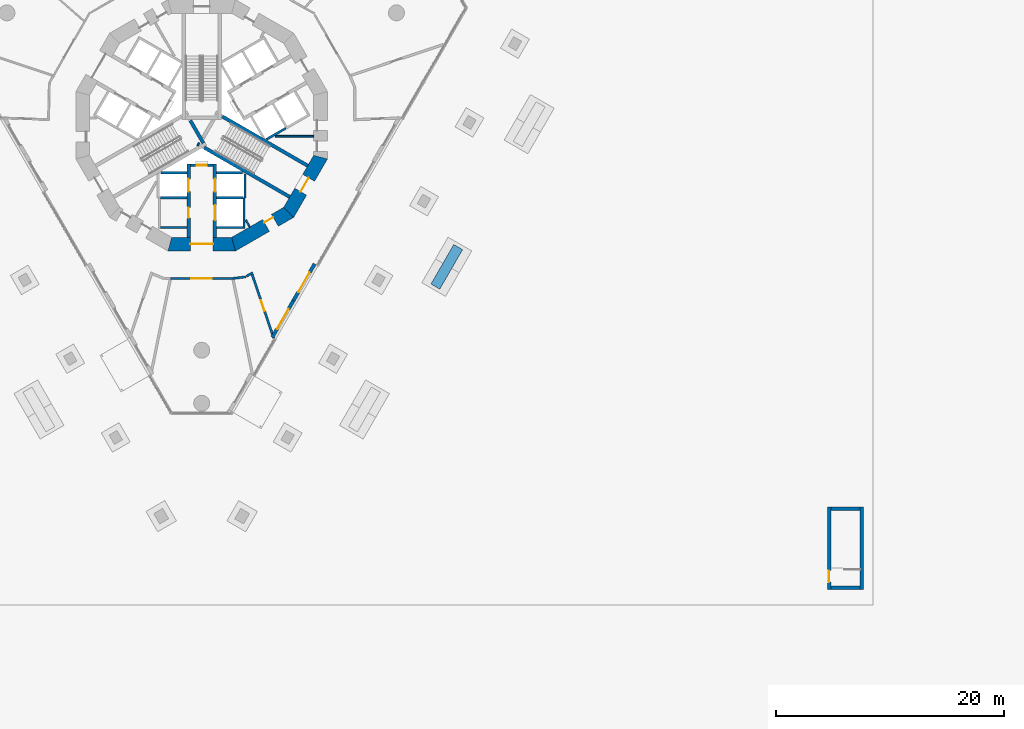
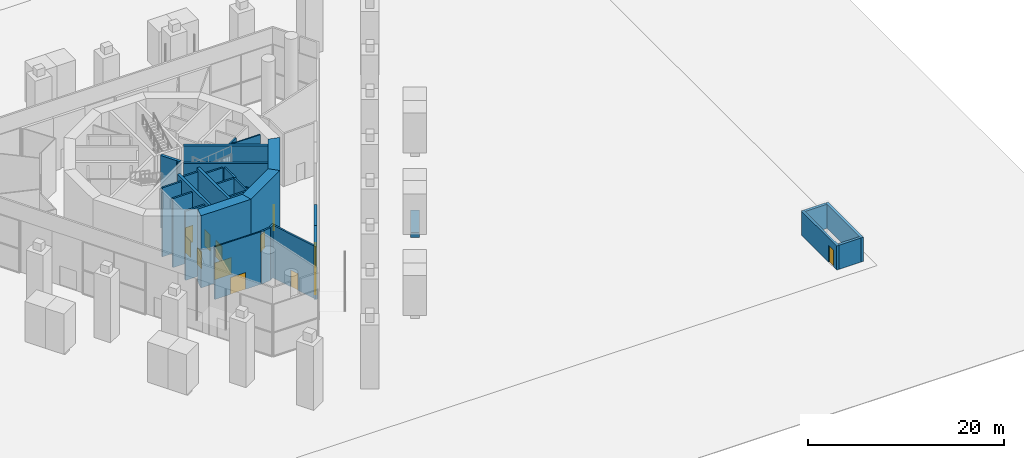
# One storey, part 8 of 26: 32 walls, 13 doors, 13 openings.
"""IFC4 building model written with IfcOpenShell, lengths in metres."""

from ifc_helpers import new_model, si_unit, direction, frame, frame_2d, origin, place, context, subcontext, project, spatial, polyline, rectangle, outline, extrude, material, layer, layer_set, type_object, element, fill, save


model = new_model("IFC4")

# Units and contexts
model_context = context("Model", 3, precision=1e-05, world=origin(), true_north=direction((0.0, 1.0)))
body_context = subcontext(model_context, "Body", "Model", "MODEL_VIEW")
ifc_project = project(units=[si_unit("LENGTHUNIT", "METRE"), si_unit("AREAUNIT", "SQUARE_METRE"), si_unit("VOLUMEUNIT", "CUBIC_METRE"), si_unit("PLANEANGLEUNIT", "RADIAN"), si_unit("MASSUNIT", "GRAM", prefix="KILO")], contexts=[model_context])

# Site, building, storey
site_placement = place(None, origin())
site = spatial("IfcSite", under=ifc_project, at=site_placement, CompositionType="ELEMENT")
building_placement = place(site_placement, origin())
building = spatial("IfcBuilding", under=site, at=building_placement, Name="Trine Commons Tower", CompositionType="ELEMENT")
storey_placement = place(building_placement, origin())
storey = spatial("IfcBuildingStorey", under=building, at=storey_placement, Name="L00", CompositionType="ELEMENT", Elevation=0.0)

# Wall, opening, door
ifc_material_1 = material(Name="Plasterboard on steel stud", Category="steel")
ifc_layer_1 = layer(ifc_material_1, 0.14990234375)
ifc_layer_set_1 = layer_set([ifc_layer_1], Name="Plasterboard on steel stud")
wall_type_1 = type_object("IfcWallType", Name="Compartment wall 150 mm, EI 60", PredefinedType="PARTITIONING", material=ifc_layer_set_1)
wall_1_placement = place(storey_placement, frame((82.733154296875, 49.08837890625, 0.0), z_axis=(0.0, 0.0, 1.0), x_axis=(-1.0, 0.0, 0.0)))
wall_1 = element("IfcWall", 1, at=wall_1_placement, inside=storey, type_object=wall_type_1, Name="Partition G0013", PredefinedType="PARTITIONING", context=body_context, shape_type="SweptSolid", body=[
    extrude(rectangle(XDim=5.46630859375, YDim=0.14990234375, at=frame_2d((2.733154296875, 0.0))), origin(), (0.0, 0.0, 1.0), 6.550048828125),
])
opening_1_placement = place(wall_1_placement, frame((1.833251953125, 0.0, 0.0)))
opening_1 = element("IfcOpeningElement", 2, at=opening_1_placement, cuts=wall_1, Name="Opening D-G005", PredefinedType="OPENING", context=body_context, shape_type="SweptSolid", body=[
    extrude(rectangle(XDim=1.800048828125, YDim=2.10009765625, at=frame_2d((0.89990234375, 1.050048828125))), frame((0.0, 0.0849609375, 0.0), z_axis=(0.0, -1.0, 0.0), x_axis=(1.0, 0.0, 0.0)), (0.0, 0.0, 1.0), 0.169921875),
])
ifc_material_2 = material(Name="Timber fire door set", Category="wood")
door_type_1 = type_object("IfcDoorType", Name="Double swing door 1800x2100, FD30S", OperationType="DOUBLE_DOOR_DOUBLE_SWING", PredefinedType="DOOR", material=ifc_material_2)
door_1_placement = place(opening_1_placement, origin())
door_1 = element("IfcDoor", 3, at=door_1_placement, inside=storey, type_object=door_type_1, Name="Door D-G005", OperationType="DOUBLE_DOOR_DOUBLE_SWING", OverallHeight=2.10009765625, OverallWidth=1.800048828125, PredefinedType="DOOR", context=body_context, shape_type="SweptSolid", body=[
    extrude(rectangle(XDim=1.800048828125, YDim=2.10009765625, at=frame_2d((0.89990234375, 1.050048828125))), frame((0.0, 0.02490234375, 0.0), z_axis=(0.0, -1.0, 0.0), x_axis=(1.0, 0.0, 0.0)), (0.0, 0.0, 1.0), 0.050048828125),
])
fill(opening_1, door_1)

# Walls
ifc_material_3 = material(Name="Plasterboard partition on steel studs", Category="steel")
ifc_layer_2 = layer(ifc_material_3, 0.14990234375)
ifc_layer_set_2 = layer_set([ifc_layer_2], Name="Plasterboard partition on steel studs")
wall_type_2 = type_object("IfcWallType", Name="Core room partition 150 mm, EI 60", PredefinedType="PARTITIONING", material=ifc_layer_set_2)
wall_2_placement = place(storey_placement, frame((84.2099609375, 53.60205078125, 0.0), z_axis=(0.0, 0.0, 1.0), x_axis=(-0.500366091518, 0.865813937552, 0.0)))
element("IfcWall", 4, at=wall_2_placement, inside=storey, type_object=wall_type_2, Name="Core room partition L00", PredefinedType="PARTITIONING", context=body_context, shape_type="SweptSolid", body=[
    extrude(rectangle(XDim=0.689453125, YDim=0.14990234375, at=frame_2d((0.3447265625, 0.0))), origin(), (0.0, 0.0, 1.0), 8.60009765625),
])
wall_3_placement = place(storey_placement, frame((89.81201171875, 61.537109375, 0.0), z_axis=(0.0, 0.0, 1.0), x_axis=(-1.0, 0.0, 0.0)))
element("IfcWall", 5, at=wall_3_placement, inside=storey, type_object=wall_type_2, Name="Core room partition L00", PredefinedType="PARTITIONING", context=body_context, shape_type="SweptSolid", body=[
    extrude(rectangle(XDim=3.35107421875, YDim=0.14990234375, at=frame_2d((1.675537109375, 0.0))), origin(), (0.0, 0.0, 1.0), 8.60009765625),
])

# Wall, opening, door
ifc_material_4 = material(Name="Stone-clad concrete C40/50", Category="masonry")
ifc_layer_3 = layer(ifc_material_4, 0.300048828125)
ifc_layer_set_3 = layer_set([ifc_layer_3], Name="Stone-clad concrete C40/50")
wall_type_3 = type_object("IfcWallType", Name="Entrance portal wall 300 mm, stone-clad concrete", PredefinedType="SOLIDWALL", material=ifc_layer_set_3)
wall_4_placement = place(storey_placement, frame((89.890625, 50.361572265625, 0.0), z_axis=(0.0, 0.0, 1.0), x_axis=(-0.500037549534, -0.866003723466, 0.0)))
wall_4 = element("IfcWall", 6, at=wall_4_placement, inside=storey, type_object=wall_type_3, Name="Entrance portal X7", PredefinedType="SOLIDWALL", context=body_context, shape_type="SweptSolid", body=[
    extrude(rectangle(XDim=3.711181640625, YDim=0.300048828125, at=frame_2d((1.85546875, 0.0))), origin(), (0.0, 0.0, 1.0), 6.60009765625),
])
opening_2_placement = place(wall_4_placement, frame((0.855712890625, 0.0, 0.0)))
opening_2 = element("IfcOpeningElement", 7, at=opening_2_placement, cuts=wall_4, Name="Opening D-G0X7", PredefinedType="OPENING", context=body_context, shape_type="SweptSolid", body=[
    extrude(rectangle(XDim=2.0, YDim=2.39990234375, at=frame_2d((1.0, 1.199951171875))), frame((0.0, 0.159912109375, 0.0), z_axis=(0.0, -1.0, 0.0), x_axis=(1.0, 0.0, 0.0)), (0.0, 0.0, 1.0), 0.320068359375),
])
ifc_material_5 = material(Name="Painted timber", Category="wood")
door_type_2 = type_object("IfcDoorType", Name="Double swing door 2000x2400, not rated", OperationType="DOUBLE_DOOR_DOUBLE_SWING", PredefinedType="DOOR", material=ifc_material_5)
door_2_placement = place(opening_2_placement, origin())
door_2 = element("IfcDoor", 8, at=door_2_placement, inside=storey, type_object=door_type_2, Name="Door D-G0X7", OperationType="DOUBLE_DOOR_DOUBLE_SWING", OverallHeight=2.39990234375, OverallWidth=2.0, PredefinedType="DOOR", context=body_context, shape_type="SweptSolid", body=[
    extrude(rectangle(XDim=2.0, YDim=2.39990234375, at=frame_2d((1.0, 1.199951171875))), frame((0.0, 0.02490234375, 0.0), z_axis=(0.0, -1.0, 0.0), x_axis=(1.0, 0.0, 0.0)), (0.0, 0.0, 1.0), 0.050048828125),
])
fill(opening_2, door_2)

wall_5_placement = place(storey_placement, frame((88.034912109375, 47.147705078125, 0.0), z_axis=(0.0, 0.0, 1.0), x_axis=(-0.499959725045, -0.866048655292, 0.0)))
wall_5 = element("IfcWall", 9, at=wall_5_placement, inside=storey, type_object=wall_type_3, Name="Entrance portal X8", PredefinedType="SOLIDWALL", context=body_context, shape_type="SweptSolid", body=[
    extrude(rectangle(XDim=3.711181640625, YDim=0.300048828125, at=frame_2d((1.85546875, 0.0))), origin(), (0.0, 0.0, 1.0), 6.60009765625),
])
opening_3_placement = place(wall_5_placement, frame((0.855712890625, 0.0, 0.0)))
opening_3 = element("IfcOpeningElement", 10, at=opening_3_placement, cuts=wall_5, Name="Opening D-G0X8", PredefinedType="OPENING", context=body_context, shape_type="SweptSolid", body=[
    extrude(rectangle(XDim=2.0, YDim=2.39990234375, at=frame_2d((1.0, 1.199951171875))), frame((0.0, 0.159912109375, 0.0), z_axis=(0.0, -1.0, 0.0), x_axis=(1.0, 0.0, 0.0)), (0.0, 0.0, 1.0), 0.320068359375),
])
door_3_placement = place(opening_3_placement, origin())
door_3 = element("IfcDoor", 11, at=door_3_placement, inside=storey, type_object=door_type_2, Name="Door D-G0X8", OperationType="DOUBLE_DOOR_DOUBLE_SWING", OverallHeight=2.39990234375, OverallWidth=2.0, PredefinedType="DOOR", context=body_context, shape_type="SweptSolid", body=[
    extrude(rectangle(XDim=2.0, YDim=2.39990234375, at=frame_2d((1.0, 1.199951171875))), frame((0.0, 0.02490234375, 0.0), z_axis=(0.0, -1.0, 0.0), x_axis=(1.0, 0.0, 0.0)), (0.0, 0.0, 1.0), 0.050048828125),
])
fill(opening_3, door_3)

# Walls
ifc_layer_4 = layer(ifc_material_1, 0.199951171875)
ifc_layer_set_4 = layer_set([ifc_layer_4], Name="Plasterboard on steel stud")
wall_type_4 = type_object("IfcWallType", Name="Fire wall 200 mm, EI 120", PredefinedType="PARTITIONING", material=ifc_layer_set_4)
wall_6_placement = place(storey_placement, frame((82.73291015625, 49.08837890625, 0.0), z_axis=(0.0, 0.0, 1.0), x_axis=(0.992215094658, 0.12453596241, 0.0)))
element("IfcWall", 12, at=wall_6_placement, inside=storey, type_object=wall_type_4, Name="Partition G0014", PredefinedType="PARTITIONING", context=body_context, shape_type="SweptSolid", body=[
    extrude(rectangle(XDim=1.138916015625, YDim=0.199951171875, at=frame_2d((0.5693359375, 0.0))), origin(), (0.0, 0.0, 1.0), 6.550048828125),
])
wall_7_placement = place(storey_placement, frame((83.916748046875, 49.275146484375, 0.0), z_axis=(0.0, 0.0, 1.0), x_axis=(0.866147503156, 0.499788458027, 0.0)))
element("IfcWall", 13, at=wall_7_placement, inside=storey, type_object=wall_type_4, Name="Partition G0016", PredefinedType="PARTITIONING", context=body_context, shape_type="SweptSolid", body=[
    extrude(rectangle(XDim=0.640380859375, YDim=0.199951171875, at=frame_2d((0.3203125, 0.0))), origin(), (0.0, 0.0, 1.0), 6.550048828125),
])

# Wall, opening, door
wall_8_placement = place(storey_placement, frame((86.309326171875, 43.858642578125, 0.0), z_axis=(0.0, 0.0, 1.0), x_axis=(-0.320582995756, 0.947220429906, 0.0)))
wall_8 = element("IfcWall", 14, at=wall_8_placement, inside=storey, type_object=wall_type_4, Name="Partition G0017", PredefinedType="PARTITIONING", context=body_context, shape_type="SweptSolid", body=[
    extrude(rectangle(XDim=5.88134765625, YDim=0.199951171875, at=frame_2d((2.940673828125, 0.0))), origin(), (0.0, 0.0, 1.0), 6.550048828125),
])
opening_4_placement = place(wall_8_placement, frame((2.501708984375, 0.0, 0.0)))
opening_4 = element("IfcOpeningElement", 15, at=opening_4_placement, cuts=wall_8, Name="Opening D-G006", PredefinedType="OPENING", context=body_context, shape_type="SweptSolid", body=[
    extrude(rectangle(XDim=1.0, YDim=2.10009765625, at=frame_2d((0.5, 1.050048828125))), frame((0.0, 0.10986328125, 0.0), z_axis=(0.0, -1.0, 0.0), x_axis=(1.0, 0.0, 0.0)), (0.0, 0.0, 1.0), 0.219970703125),
])
door_type_3 = type_object("IfcDoorType", Name="Single swing door 1000x2100, FD60", OperationType="SINGLE_SWING_LEFT", PredefinedType="DOOR", material=ifc_material_2)
door_4_placement = place(opening_4_placement, origin())
door_4 = element("IfcDoor", 16, at=door_4_placement, inside=storey, type_object=door_type_3, Name="Door D-G006", OperationType="SINGLE_SWING_LEFT", OverallHeight=2.10009765625, OverallWidth=1.0, PredefinedType="DOOR", context=body_context, shape_type="SweptSolid", body=[
    extrude(rectangle(XDim=1.0, YDim=2.10009765625, at=frame_2d((0.5, 1.050048828125))), frame((0.0, 0.02490234375, 0.0), z_axis=(0.0, -1.0, 0.0), x_axis=(1.0, 0.0, 0.0)), (0.0, 0.0, 1.0), 0.050048828125),
])
fill(opening_4, door_4)

ifc_material_6 = material(Name="Fire-rated gypsum shaft wall system")
ifc_layer_5 = layer(ifc_material_6, 0.199951171875)
ifc_layer_set_5 = layer_set([ifc_layer_5], Name="Fire-rated gypsum shaft wall system")
wall_type_5 = type_object("IfcWallType", Name="Lobby end wall 200 mm, EI 120", PredefinedType="PARTITIONING", material=ifc_layer_set_5)
wall_9_placement = place(storey_placement, frame((79.0, 59.0, 0.0), z_axis=(0.0, 0.0, 1.0), x_axis=(1.0, 0.0, 0.0)))
wall_9 = element("IfcWall", 17, at=wall_9_placement, inside=storey, type_object=wall_type_5, Name="Lobby end wall L00", PredefinedType="PARTITIONING", context=body_context, shape_type="SweptSolid", body=[
    extrude(rectangle(XDim=2.0, YDim=0.199951171875, at=frame_2d((1.0, 0.0))), origin(), (0.0, 0.0, 1.0), 8.60009765625),
])
opening_5_placement = place(wall_9_placement, frame((0.550048828125, 0.0, 0.0)))
opening_5 = element("IfcOpeningElement", 18, at=opening_5_placement, cuts=wall_9, Name="Opening K03.09", PredefinedType="OPENING", context=body_context, shape_type="SweptSolid", body=[
    extrude(rectangle(XDim=0.89990234375, YDim=2.10009765625, at=frame_2d((0.449951171875, 1.050048828125))), frame((0.0, 0.10986328125, 0.0), z_axis=(0.0, -1.0, 0.0), x_axis=(1.0, 0.0, 0.0)), (0.0, 0.0, 1.0), 0.219970703125),
])
ifc_material_7 = material(Name="Steel door leaf, fire-rated", Category="steel")
door_type_4 = type_object("IfcDoorType", Name="Riser access door, single leaf 900 x 2100, FD60", OperationType="SINGLE_SWING_LEFT", PredefinedType="DOOR", material=ifc_material_7)
door_5_placement = place(opening_5_placement, frame((0.89990234375, 0.0, 0.0), z_axis=(0.0, 0.0, 1.0), x_axis=(-1.0, 0.0, 0.0)))
door_5 = element("IfcDoor", 19, at=door_5_placement, inside=storey, type_object=door_type_4, Name="Riser door, Communications riser L00", OperationType="SINGLE_SWING_RIGHT", OverallHeight=2.10009765625, OverallWidth=0.89990234375, PredefinedType="DOOR", context=body_context, shape_type="SweptSolid", body=[
    extrude(rectangle(XDim=0.89990234375, YDim=2.10009765625, at=frame_2d((0.449951171875, 1.050048828125))), frame((0.0, 0.02490234375, 0.0), z_axis=(0.0, -1.0, 0.0), x_axis=(1.0, 0.0, 0.0)), (0.0, 0.0, 1.0), 0.050048828125),
])
fill(opening_5, door_5)

# Wall
ifc_material_8 = material(Name="Planter trough, precast concrete C40/50", Category="concrete")
ifc_layer_6 = layer(ifc_material_8, 0.89990234375)
ifc_layer_set_6 = layer_set([ifc_layer_6], Name="Planter trough, precast concrete C40/50")
wall_type_6 = type_object("IfcWallType", Name="Planter trough 900x600", PredefinedType="PARAPET", material=ifc_layer_set_6)
wall_10_placement = place(storey_placement, frame((102.464111328125, 51.839599609375, 0.0), z_axis=(0.0, 0.0, 1.0), x_axis=(-0.50002537861, -0.866010750942, 0.0)))
element("IfcWall", 20, at=wall_10_placement, inside=storey, type_object=wall_type_6, Name="Plaza planter 5", PredefinedType="PARAPET", context=body_context, shape_type="SweptSolid", body=[
    extrude(rectangle(XDim=3.999755859375, YDim=0.89990234375, at=frame_2d((2.0, 0.0))), origin(), (0.0, 0.0, 1.0), 0.60009765625),
])

# Wall, opening, door
ifc_material_9 = material(Name="Concrete C80/95", Category="concrete")
ifc_layer_7 = layer(ifc_material_9, 1.199951171875)
ifc_layer_set_7 = layer_set([ifc_layer_7], Name="Concrete C80/95")
wall_type_7 = type_object("IfcWallType", Name="RC shear wall 1200 mm, C80/95", PredefinedType="SHEAR", material=ifc_layer_set_7)
wall_11_placement = place(storey_placement, frame((77.049560546875, 52.08837890625, 0.0), z_axis=(0.0, 0.0, 1.0), x_axis=(1.0, 0.0, 0.0)))
wall_11 = element("IfcWall", 21, at=wall_11_placement, inside=storey, type_object=wall_type_7, Name="Core wall CWA-10 L00", PredefinedType="SHEAR", context=body_context, shape_type="SweptSolid", body=[
    extrude(outline(polyline([(0.0, -0.60009765625), (5.90087890625, -0.60009765625), (5.57958984375, 0.60009765625), (0.321533203125, 0.60009765625), (0.0, -0.60009765625)])), origin(), (0.0, 0.0, 1.0), 9.0),
])
opening_6_placement = place(wall_11_placement, frame((1.950439453125, 0.0, 0.0)))
opening_6 = element("IfcOpeningElement", 22, at=opening_6_placement, cuts=wall_11, Name="Opening K03.08", PredefinedType="OPENING", context=body_context, shape_type="SweptSolid", body=[
    extrude(rectangle(XDim=2.0, YDim=2.10009765625, at=frame_2d((1.0, 1.050048828125))), frame((0.0, 0.60986328125, 0.0), z_axis=(0.0, -1.0, 0.0), x_axis=(1.0, 0.0, 0.0)), (0.0, 0.0, 1.0), 1.219970703125),
])
ifc_material_10 = material(Name="Steel door leaves, fire-rated", Category="steel")
door_type_5 = type_object("IfcDoorType", Name="Lobby door, double leaf 2000 x 2100, FD60", OperationType="DOUBLE_DOOR_SINGLE_SWING", PredefinedType="DOOR", material=ifc_material_10)
door_6_placement = place(opening_6_placement, origin())
door_6 = element("IfcDoor", 23, at=door_6_placement, inside=storey, type_object=door_type_5, Name="Lobby door, Service and firefighting lobby L00", OperationType="DOUBLE_DOOR_SINGLE_SWING", OverallHeight=2.10009765625, OverallWidth=2.0, PredefinedType="DOOR", context=body_context, shape_type="SweptSolid", body=[
    extrude(rectangle(XDim=2.0, YDim=2.10009765625, at=frame_2d((1.0, 1.050048828125))), frame((0.0, 0.02490234375, 0.0), z_axis=(0.0, -1.0, 0.0), x_axis=(1.0, 0.0, 0.0)), (0.0, 0.0, 1.0), 0.050048828125),
])
fill(opening_6, door_6)

wall_12_placement = place(storey_placement, frame((82.650390625, 52.008056640625, 0.0), z_axis=(0.0, 0.0, 1.0), x_axis=(0.866037463336, 0.499979111662, 0.0)))
wall_12 = element("IfcWall", 24, at=wall_12_placement, inside=storey, type_object=wall_type_7, Name="Core wall CWA-11 L00", PredefinedType="SHEAR", context=body_context, shape_type="SweptSolid", body=[
    extrude(outline(polyline([(0.0, -0.60009765625), (5.901123046875, -0.60009765625), (5.57958984375, 0.60009765625), (0.321533203125, 0.60009765625), (0.0, -0.60009765625)])), origin(), (0.0, 0.0, 1.0), 9.0),
])
opening_7_placement = place(wall_12_placement, frame((3.44677734375, 0.0, 0.0)))
opening_7 = element("IfcOpeningElement", 25, at=opening_7_placement, cuts=wall_12, Name="Opening K03.17", PredefinedType="OPENING", context=body_context, shape_type="SweptSolid", body=[
    extrude(rectangle(XDim=0.89990234375, YDim=2.10009765625, at=frame_2d((0.449951171875, 1.050048828125))), frame((0.0, 0.60986328125, 0.0), z_axis=(0.0, -1.0, 0.0), x_axis=(1.0, 0.0, 0.0)), (0.0, 0.0, 1.0), 1.219970703125),
])
door_type_6 = type_object("IfcDoorType", Name="Core room door, single leaf 900 x 2100, FD30S", OperationType="SINGLE_SWING_LEFT", PredefinedType="DOOR", material=ifc_material_7)
door_7_placement = place(opening_7_placement, origin())
door_7 = element("IfcDoor", 26, at=door_7_placement, inside=storey, type_object=door_type_6, Name="Door to Pantry L00", OperationType="SINGLE_SWING_RIGHT", OverallHeight=2.10009765625, OverallWidth=0.89990234375, PredefinedType="DOOR", context=body_context, shape_type="SweptSolid", body=[
    extrude(rectangle(XDim=0.89990234375, YDim=2.10009765625, at=frame_2d((0.449951171875, 1.050048828125))), frame((0.0, 0.3251953125, 0.0), z_axis=(0.0, -1.0, 0.0), x_axis=(1.0, 0.0, 0.0)), (0.0, 0.0, 1.0), 0.050048828125),
])
fill(opening_7, door_7)

wall_13_placement = place(storey_placement, frame((87.54150390625, 54.739013671875, 0.0), z_axis=(0.0, 0.0, 1.0), x_axis=(0.499979111662, 0.866037463336, 0.0)))
wall_13 = element("IfcWall", 27, at=wall_13_placement, inside=storey, type_object=wall_type_7, Name="Core wall CWA-12 L00", PredefinedType="SHEAR", context=body_context, shape_type="SweptSolid", body=[
    extrude(outline(polyline([(0.0, -0.60009765625), (5.901123046875, -0.60009765625), (5.57958984375, 0.60009765625), (0.321533203125, 0.60009765625), (0.0, -0.60009765625)])), origin(), (0.0, 0.0, 1.0), 9.0),
])
opening_8_placement = place(wall_13_placement, frame((2.25048828125, 0.0, 0.0)))
opening_8 = element("IfcOpeningElement", 28, at=opening_8_placement, cuts=wall_13, Name="Opening K03.03", PredefinedType="OPENING", context=body_context, shape_type="SweptSolid", body=[
    extrude(rectangle(XDim=1.39990234375, YDim=2.10009765625, at=frame_2d((0.699951171875, 1.050048828125))), frame((0.0, 0.60986328125, 0.0), z_axis=(0.0, -1.0, 0.0), x_axis=(1.0, 0.0, 0.0)), (0.0, 0.0, 1.0), 1.219970703125),
])
door_type_7 = type_object("IfcDoorType", Name="Stair door, double leaf 1400 x 2100, FD90", OperationType="DOUBLE_DOOR_SINGLE_SWING", PredefinedType="DOOR", material=ifc_material_10)
door_8_placement = place(opening_8_placement, origin())
door_8 = element("IfcDoor", 29, at=door_8_placement, inside=storey, type_object=door_type_7, Name="Stair door to Exit stair ST3A L00", OperationType="DOUBLE_DOOR_SINGLE_SWING", OverallHeight=2.10009765625, OverallWidth=1.39990234375, PredefinedType="DOOR", context=body_context, shape_type="SweptSolid", body=[
    extrude(rectangle(XDim=1.39990234375, YDim=2.10009765625, at=frame_2d((0.699951171875, 1.050048828125))), frame((0.0, 0.02490234375, 0.0), z_axis=(0.0, -1.0, 0.0), x_axis=(1.0, 0.0, 0.0)), (0.0, 0.0, 1.0), 0.050048828125),
])
fill(opening_8, door_8)

# Wall, openings, doors
ifc_layer_8 = layer(ifc_material_9, 0.300048828125)
ifc_layer_set_8 = layer_set([ifc_layer_8], Name="Concrete C80/95")
wall_type_8 = type_object("IfcWallType", Name="RC shear wall 300 mm, C80/95", PredefinedType="SHEAR", material=ifc_layer_set_8)
wall_14_placement = place(storey_placement, frame((78.85009765625, 59.10009765625, 0.0), z_axis=(0.0, 0.0, 1.0), x_axis=(0.0, -1.0, 0.0)))
wall_14 = element("IfcWall", 30, at=wall_14_placement, inside=storey, type_object=wall_type_8, Name="Core cross wall SWA-03 L00", PredefinedType="SHEAR", context=body_context, shape_type="SweptSolid", body=[
    extrude(rectangle(XDim=6.412109375, YDim=0.300048828125, at=frame_2d((3.2060546875, 0.0))), origin(), (0.0, 0.0, 1.0), 9.0),
])
opening_9_placement = place(wall_14_placement, frame((3.800048828125, 0.0, 0.0)))
opening_9 = element("IfcOpeningElement", 31, at=opening_9_placement, cuts=wall_14, Name="Opening K03.10", PredefinedType="OPENING", context=body_context, shape_type="SweptSolid", body=[
    extrude(rectangle(XDim=0.89990234375, YDim=2.10009765625, at=frame_2d((0.449951171875, 1.050048828125))), frame((0.0, 0.159912109375, 0.0), z_axis=(0.0, -1.0, 0.0), x_axis=(1.0, 0.0, 0.0)), (0.0, 0.0, 1.0), 0.320068359375),
])
opening_10_placement = place(wall_14_placement, frame((1.300048828125, 0.0, 0.0)))
opening_10 = element("IfcOpeningElement", 32, at=opening_10_placement, cuts=wall_14, Name="Opening LD10", PredefinedType="OPENING", context=body_context, shape_type="SweptSolid", body=[
    extrude(rectangle(XDim=1.10009765625, YDim=2.10009765625, at=frame_2d((0.550048828125, 1.050048828125))), frame((0.0, 0.159912109375, 0.0), z_axis=(0.0, -1.0, 0.0), x_axis=(1.0, 0.0, 0.0)), (0.0, 0.0, 1.0), 0.320068359375),
])
door_9_placement = place(opening_9_placement, frame((0.89990234375, 0.0, 0.0), z_axis=(0.0, 0.0, 1.0), x_axis=(-1.0, 0.0, 0.0)))
door_9 = element("IfcDoor", 33, at=door_9_placement, inside=storey, type_object=door_type_6, Name="Door to Linen store L00", OperationType="SINGLE_SWING_RIGHT", OverallHeight=2.10009765625, OverallWidth=0.89990234375, PredefinedType="DOOR", context=body_context, shape_type="SweptSolid", body=[
    extrude(rectangle(XDim=0.89990234375, YDim=2.10009765625, at=frame_2d((0.449951171875, 1.050048828125))), frame((0.0, 0.02490234375, 0.0), z_axis=(0.0, -1.0, 0.0), x_axis=(1.0, 0.0, 0.0)), (0.0, 0.0, 1.0), 0.050048828125),
])
fill(opening_9, door_9)
ifc_material_11 = material(Name="Stainless steel sliding door leaves", Category="steel")
door_type_8 = type_object("IfcDoorType", Name="Lift landing door, centre-opening sliding 1100 x 2100, FD90", OperationType="DOUBLE_DOOR_SLIDING", PredefinedType="DOOR", material=ifc_material_11)
door_10_placement = place(opening_10_placement, origin())
door_10 = element("IfcDoor", 34, at=door_10_placement, inside=storey, type_object=door_type_8, Name="Lift landing door FF2 L00", OperationType="DOUBLE_DOOR_SLIDING", OverallHeight=2.10009765625, OverallWidth=1.10009765625, PredefinedType="DOOR", context=body_context, shape_type="SweptSolid", body=[
    extrude(rectangle(XDim=1.10009765625, YDim=2.10009765625, at=frame_2d((0.550048828125, 1.050048828125))), frame((0.0, 0.02490234375, 0.0), z_axis=(0.0, -1.0, 0.0), x_axis=(1.0, 0.0, 0.0)), (0.0, 0.0, 1.0), 0.050048828125),
])
fill(opening_10, door_10)

wall_15_placement = place(storey_placement, frame((81.14990234375, 59.10009765625, 0.0), z_axis=(0.0, 0.0, 1.0), x_axis=(0.0, -1.0, 0.0)))
wall_15 = element("IfcWall", 35, at=wall_15_placement, inside=storey, type_object=wall_type_8, Name="Core cross wall SWA-04 L00", PredefinedType="SHEAR", context=body_context, shape_type="SweptSolid", body=[
    extrude(rectangle(XDim=6.412109375, YDim=0.300048828125, at=frame_2d((3.2060546875, 0.0))), origin(), (0.0, 0.0, 1.0), 9.0),
])
opening_11_placement = place(wall_15_placement, frame((3.60009765625, 0.0, 0.0)))
opening_11 = element("IfcOpeningElement", 36, at=opening_11_placement, cuts=wall_15, Name="Opening LD11", PredefinedType="OPENING", context=body_context, shape_type="SweptSolid", body=[
    extrude(rectangle(XDim=1.300048828125, YDim=2.10009765625, at=frame_2d((0.64990234375, 1.050048828125))), frame((0.0, 0.159912109375, 0.0), z_axis=(0.0, -1.0, 0.0), x_axis=(1.0, 0.0, 0.0)), (0.0, 0.0, 1.0), 0.320068359375),
])
opening_12_placement = place(wall_15_placement, frame((1.300048828125, 0.0, 0.0)))
opening_12 = element("IfcOpeningElement", 37, at=opening_12_placement, cuts=wall_15, Name="Opening LD9", PredefinedType="OPENING", context=body_context, shape_type="SweptSolid", body=[
    extrude(rectangle(XDim=1.10009765625, YDim=2.10009765625, at=frame_2d((0.550048828125, 1.050048828125))), frame((0.0, 0.159912109375, 0.0), z_axis=(0.0, -1.0, 0.0), x_axis=(1.0, 0.0, 0.0)), (0.0, 0.0, 1.0), 0.320068359375),
])
door_11_placement = place(opening_12_placement, origin())
door_11 = element("IfcDoor", 38, at=door_11_placement, inside=storey, type_object=door_type_8, Name="Lift landing door FF1 L00", OperationType="DOUBLE_DOOR_SLIDING", OverallHeight=2.10009765625, OverallWidth=1.10009765625, PredefinedType="DOOR", context=body_context, shape_type="SweptSolid", body=[
    extrude(rectangle(XDim=1.10009765625, YDim=2.10009765625, at=frame_2d((0.550048828125, 1.050048828125))), frame((0.0, 0.02490234375, 0.0), z_axis=(0.0, -1.0, 0.0), x_axis=(1.0, 0.0, 0.0)), (0.0, 0.0, 1.0), 0.050048828125),
])
fill(opening_12, door_11)
door_type_9 = type_object("IfcDoorType", Name="Lift landing door, centre-opening sliding 1300 x 2100, FD90", OperationType="DOUBLE_DOOR_SLIDING", PredefinedType="DOOR", material=ifc_material_11)
door_12_placement = place(opening_11_placement, origin())
door_12 = element("IfcDoor", 39, at=door_12_placement, inside=storey, type_object=door_type_9, Name="Lift landing door G1 L00", OperationType="DOUBLE_DOOR_SLIDING", OverallHeight=2.10009765625, OverallWidth=1.300048828125, PredefinedType="DOOR", context=body_context, shape_type="SweptSolid", body=[
    extrude(rectangle(XDim=1.300048828125, YDim=2.10009765625, at=frame_2d((0.64990234375, 1.050048828125))), frame((0.0, 0.02490234375, 0.0), z_axis=(0.0, -1.0, 0.0), x_axis=(1.0, 0.0, 0.0)), (0.0, 0.0, 1.0), 0.050048828125),
])
fill(opening_11, door_12)

# Walls
wall_16_placement = place(storey_placement, frame((79.0029296875, 62.926025390625, 0.0), z_axis=(0.0, 0.0, 1.0), x_axis=(0.499965247104, -0.866045467449, 0.0)))
element("IfcWall", 40, at=wall_16_placement, inside=storey, type_object=wall_type_8, Name="Core cross wall SWA-10 L00", PredefinedType="SHEAR", context=body_context, shape_type="SweptSolid", body=[
    extrude(rectangle(XDim=2.292236328125, YDim=0.300048828125, at=frame_2d((1.14599609375, 0.0))), origin(), (0.0, 0.0, 1.0), 9.0),
])
wall_17_placement = place(storey_placement, frame((79.64599609375, 60.885986328125, 0.0), z_axis=(0.0, 0.0, 1.0), x_axis=(0.867331893649, -0.497730234424, 0.0)))
element("IfcWall", 41, at=wall_17_placement, inside=storey, type_object=wall_type_8, Name="Core cross wall SWA-11 L00", PredefinedType="SHEAR", context=body_context, shape_type="SweptSolid", body=[
    extrude(rectangle(XDim=0.148681640625, YDim=0.300048828125, at=frame_2d((0.07421875, 0.0))), origin(), (0.0, 0.0, 1.0), 9.0),
])
for number, where, z_axis, x_axis, name in (
    (42, (80.22509765625, 60.552001953125, 0.0), (0.0, 0.0, 1.0), (0.865965399159, -0.500103916661, 0.0), "Core cross wall SWA-13 L00"),
    (43, (81.800048828125, 63.280029296875, 0.0), (0.0, 0.0, 1.0), (0.865965399159, -0.500103916661, 0.0), "Core cross wall SWA-18 L00"),
):
    element("IfcWall", number, at=place(storey_placement, frame(where, z_axis=z_axis, x_axis=x_axis)), inside=storey, type_object=wall_type_8, Name=name, PredefinedType="SHEAR", context=body_context, shape_type="SweptSolid", body=[
        extrude(rectangle(XDim=8.642333984375, YDim=0.300048828125, at=frame_2d((4.3212890625, 0.0))), origin(), (0.0, 0.0, 1.0), 9.0),
    ])
ifc_material_12 = material(Name="Concrete C40/50", Category="concrete")
ifc_layer_9 = layer(ifc_material_12, 0.300048828125)
ifc_layer_set_9 = layer_set([ifc_layer_9], Name="Concrete C40/50")
wall_type_9 = type_object("IfcWallType", Name="RC stair enclosure wall 300 mm, C40/50", PredefinedType="SHEAR", material=ifc_layer_set_9)
wall_18_placement = place(storey_placement, frame((137.800048828125, 21.85009765625, 0.0), z_axis=(0.0, 0.0, 1.0), x_axis=(0.0, 1.0, 0.0)))
element("IfcWall", 44, at=wall_18_placement, inside=storey, type_object=wall_type_9, Name="Stair STB2 enclosure wall L00", PredefinedType="SHEAR", context=body_context, shape_type="SweptSolid", body=[
    extrude(rectangle(XDim=7.219970703125, YDim=0.300048828125, at=frame_2d((3.60986328125, 0.0))), origin(), (0.0, 0.0, 1.0), 3.0),
])

# Wall, opening, door
wall_19_placement = place(storey_placement, frame((134.949951171875, 21.85009765625, 0.0), z_axis=(0.0, 0.0, 1.0), x_axis=(0.0, 1.0, 0.0)))
wall_19 = element("IfcWall", 45, at=wall_19_placement, inside=storey, type_object=wall_type_9, Name="Stair STB2 enclosure wall L00", PredefinedType="SHEAR", context=body_context, shape_type="SweptSolid", body=[
    extrude(rectangle(XDim=7.219970703125, YDim=0.300048828125, at=frame_2d((3.60986328125, 0.0))), origin(), (0.0, 0.0, 1.0), 3.0),
])
opening_13_placement = place(wall_19_placement, frame((0.64990234375, 0.0, 0.0)))
opening_13 = element("IfcOpeningElement", 46, at=opening_13_placement, cuts=wall_19, Name="Opening D-S06", PredefinedType="OPENING", context=body_context, shape_type="SweptSolid", body=[
    extrude(rectangle(XDim=1.0, YDim=2.10009765625, at=frame_2d((0.5, 1.050048828125))), frame((0.0, 0.159912109375, 0.0), z_axis=(0.0, -1.0, 0.0), x_axis=(1.0, 0.0, 0.0)), (0.0, 0.0, 1.0), 0.320068359375),
])
ifc_material_13 = material(Name="Steel fire door FD90S", Category="steel")
door_type_10 = type_object("IfcDoorType", Name="Fire door 1000 x 2100, FD90S", OperationType="SINGLE_SWING_LEFT", PredefinedType="DOOR", material=ifc_material_13)
door_13_placement = place(opening_13_placement, origin())
door_13 = element("IfcDoor", 47, at=door_13_placement, inside=storey, type_object=door_type_10, Name="Stair STB2 door L00", OperationType="SINGLE_SWING_LEFT", OverallHeight=2.10009765625, OverallWidth=1.0, PredefinedType="DOOR", context=body_context, shape_type="SweptSolid", body=[
    extrude(rectangle(XDim=1.0, YDim=2.10009765625, at=frame_2d((0.5, 1.050048828125))), frame((0.0, 0.02490234375, 0.0), z_axis=(0.0, -1.0, 0.0), x_axis=(1.0, 0.0, 0.0)), (0.0, 0.0, 1.0), 0.050048828125),
])
fill(opening_13, door_13)

# Walls
for number, where, z_axis, x_axis, name in (
    (48, (137.64990234375, 22.0, 0.0), (0.0, 0.0, 1.0), (-1.0, 0.0, 0.0), "Stair STB2 enclosure wall L00"),
    (49, (137.64990234375, 28.919921875, 0.0), (0.0, 0.0, 1.0), (-1.0, 0.0, 0.0), "Stair STB2 enclosure wall L00"),
):
    element("IfcWall", number, at=place(storey_placement, frame(where, z_axis=z_axis, x_axis=x_axis)), inside=storey, type_object=wall_type_9, Name=name, PredefinedType="SHEAR", context=body_context, shape_type="SweptSolid", body=[
        extrude(rectangle(XDim=2.5498046875, YDim=0.300048828125, at=frame_2d((1.27490234375, 0.0))), origin(), (0.0, 0.0, 1.0), 3.0),
    ])
ifc_layer_10 = layer(ifc_material_6, 0.199951171875)
ifc_layer_set_10 = layer_set([ifc_layer_10], Name="Fire-rated gypsum shaft wall system")
wall_type_10 = type_object("IfcWallType", Name="Shaft wall 200 mm, EI 120", PredefinedType="PARTITIONING", material=ifc_layer_set_10)
for number, where, z_axis, x_axis, name in (
    (50, (78.699951171875, 53.550048828125, 0.0), (0.0, 0.0, 1.0), (-1.0, 0.0, 0.0), "Shaft wall L00"),
    (51, (78.699951171875, 56.14990234375, 0.0), (0.0, 0.0, 1.0), (-1.0, 0.0, 0.0), "Shaft wall L00"),
):
    element("IfcWall", number, at=place(storey_placement, frame(where, z_axis=z_axis, x_axis=x_axis)), inside=storey, type_object=wall_type_10, Name=name, PredefinedType="PARTITIONING", context=body_context, shape_type="SweptSolid", body=[
        extrude(rectangle(XDim=2.300048828125, YDim=0.199951171875, at=frame_2d((1.14990234375, 0.0))), origin(), (0.0, 0.0, 1.0), 8.60009765625),
    ])
wall_20_placement = place(storey_placement, frame((78.699951171875, 58.35009765625, 0.0), z_axis=(0.0, 0.0, 1.0), x_axis=(-1.0, 0.0, 0.0)))
element("IfcWall", 52, at=wall_20_placement, inside=storey, type_object=wall_type_10, Name="Shaft wall L00", PredefinedType="PARTITIONING", context=body_context, shape_type="SweptSolid", body=[
    extrude(rectangle(XDim=2.264892578125, YDim=0.199951171875, at=frame_2d((1.13232421875, 0.0))), origin(), (0.0, 0.0, 1.0), 8.60009765625),
])
for number, where, z_axis, x_axis, name in (
    (53, (81.300048828125, 53.550048828125, 0.0), (0.0, 0.0, 1.0), (1.0, 0.0, 0.0), "Shaft wall L00"),
    (54, (81.300048828125, 56.14990234375, 0.0), (0.0, 0.0, 1.0), (1.0, 0.0, 0.0), "Shaft wall L00"),
):
    element("IfcWall", number, at=place(storey_placement, frame(where, z_axis=z_axis, x_axis=x_axis)), inside=storey, type_object=wall_type_10, Name=name, PredefinedType="PARTITIONING", context=body_context, shape_type="SweptSolid", body=[
        extrude(rectangle(XDim=2.300048828125, YDim=0.199951171875, at=frame_2d((1.14990234375, 0.0))), origin(), (0.0, 0.0, 1.0), 8.60009765625),
    ])
wall_21_placement = place(storey_placement, frame((81.300048828125, 58.35009765625, 0.0), z_axis=(0.0, 0.0, 1.0), x_axis=(1.0, 0.0, 0.0)))
element("IfcWall", 55, at=wall_21_placement, inside=storey, type_object=wall_type_10, Name="Shaft wall L00", PredefinedType="PARTITIONING", context=body_context, shape_type="SweptSolid", body=[
    extrude(rectangle(XDim=2.264892578125, YDim=0.199951171875, at=frame_2d((1.13232421875, 0.0))), origin(), (0.0, 0.0, 1.0), 8.60009765625),
])
wall_22_placement = place(storey_placement, frame((83.699951171875, 56.14990234375, 0.0), z_axis=(0.0, 0.0, 1.0), x_axis=(0.0, -1.0, 0.0)))
element("IfcWall", 56, at=wall_22_placement, inside=storey, type_object=wall_type_10, Name="Shaft wall L00", PredefinedType="PARTITIONING", context=body_context, shape_type="SweptSolid", body=[
    extrude(rectangle(XDim=2.699951171875, YDim=0.199951171875, at=frame_2d((1.35009765625, 0.0))), origin(), (0.0, 0.0, 1.0), 8.60009765625),
])
wall_23_placement = place(storey_placement, frame((83.800048828125, 58.256103515625, 0.0), z_axis=(0.0, 0.0, 1.0), x_axis=(0.0, -1.0, 0.0)))
element("IfcWall", 57, at=wall_23_placement, inside=storey, type_object=wall_type_10, Name="Shaft wall L00", PredefinedType="PARTITIONING", context=body_context, shape_type="SweptSolid", body=[
    extrude(rectangle(XDim=2.106201171875, YDim=0.199951171875, at=frame_2d((1.05322265625, 0.0))), origin(), (0.0, 0.0, 1.0), 8.60009765625),
])
wall_24_placement = place(storey_placement, frame((85.675048828125, 61.27294921875, 0.0), z_axis=(0.0, 0.0, 1.0), x_axis=(0.865780634835, 0.500423712812, 0.0)))
element("IfcWall", 58, at=wall_24_placement, inside=storey, type_object=wall_type_10, Name="Shaft wall L00", PredefinedType="PARTITIONING", context=body_context, shape_type="SweptSolid", body=[
    extrude(rectangle(XDim=1.948486328125, YDim=0.199951171875, at=frame_2d((0.97412109375, 0.0))), origin(), (0.0, 0.0, 1.0), 8.60009765625),
])

save(model, "model.ifc")
